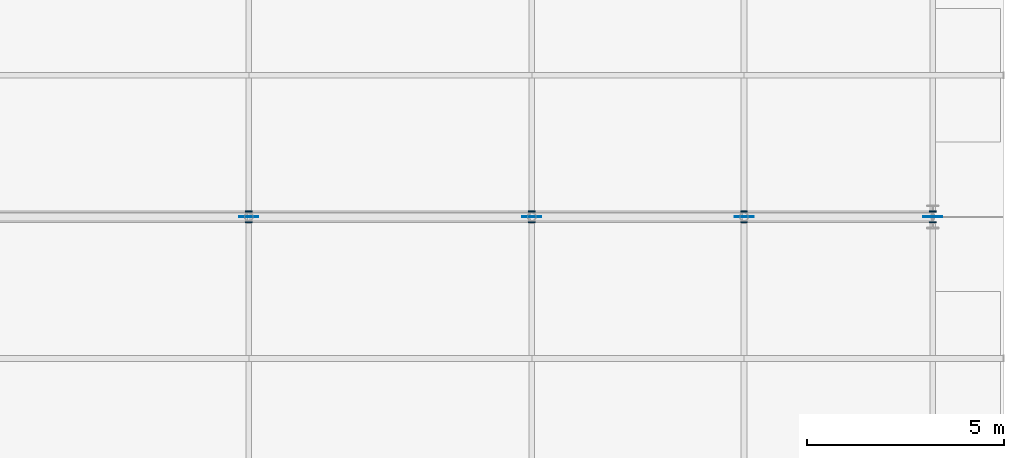
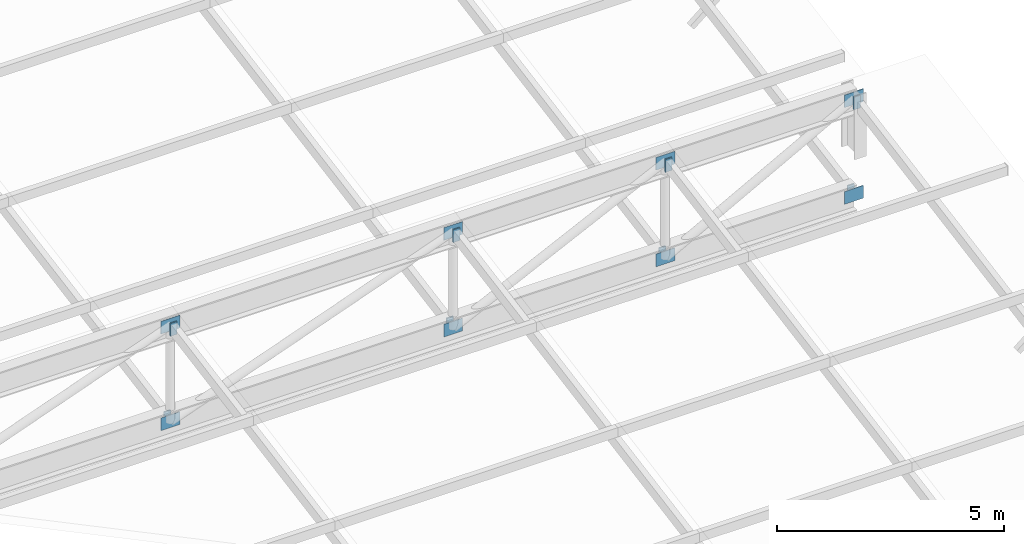
# One storey, part 60 of 63: 24 plates.
"""IFC4 building model written with IfcOpenShell, lengths in metres."""

from ifc_helpers import new_model, si_unit, direction, frame, origin, origin_2d, place, context, subcontext, project, spatial, rectangle, extrude, material, layer, layer_set, type_object, element, save


model = new_model("IFC4")

# Units and contexts
model_context = context("Model", 3, precision=1e-05, world=origin(), true_north=direction((0.0, 1.0)))
body_context = subcontext(model_context, "Body", "Model", "MODEL_VIEW")
ifc_project = project(units=[si_unit("LENGTHUNIT", "METRE"), si_unit("AREAUNIT", "SQUARE_METRE"), si_unit("VOLUMEUNIT", "CUBIC_METRE"), si_unit("PLANEANGLEUNIT", "RADIAN"), si_unit("MASSUNIT", "GRAM", prefix="KILO")], contexts=[model_context])

# Site, building, storey
site_placement = place(None, origin())
site = spatial("IfcSite", under=ifc_project, at=site_placement, CompositionType="ELEMENT")
building_placement = place(site_placement, origin())
building = spatial("IfcBuilding", under=site, at=building_placement, Name="Solvadek Multi-Sports Hall", CompositionType="ELEMENT")
storey_placement = place(building_placement, frame((0.0, 0.0, 19.199951171875)))
storey = spatial("IfcBuildingStorey", under=building, at=storey_placement, Name="RF", CompositionType="ELEMENT", Elevation=19.199951171875)

# Plates
ifc_material = material(Name="Steel E350 (350 MPa)", Category="steel")
ifc_layer_1 = layer(ifc_material, 0.01611328125, Name="Steel E350 (350 MPa)")
ifc_layer_set_1 = layer_set([ifc_layer_1], Name="Steel E350 (350 MPa)")
plate_type_1 = type_object("IfcPlateType", Name="STR-PLT-CAP16", PredefinedType="USERDEFINED", material=ifc_layer_set_1)
for number, where, z_axis, x_axis, name in (
    (1, (144.0, 56.25390625, 1.2333984375), (0.0, 0.0, 1.0), (1.0, 0.0, 0.0), "V2 Rafter End Cap Plate #77"),
    (2, (144.0, 56.27099609375, 1.2373046875), (0.0, 0.0, 1.0), (1.0, 0.0, 0.0), "V2 Rafter Shoe Cap Plate #78"),
    (3, (144.0, 56.5458984375, -1.3125), (0.0, 0.0, 1.0), (1.0, 0.0, 0.0), "V2 Rafter End Cap Plate #79"),
    (4, (144.0, 56.529052734375, -1.31689453125), (0.0, 0.0, 1.0), (1.0, 0.0, 0.0), "V2 Rafter Shoe Cap Plate #80"),
    (5, (151.199951171875, 56.25390625, 1.2333984375), (0.0, 0.0, 1.0), (1.0, 0.0, 0.0), "V2 Rafter End Cap Plate #85"),
    (6, (151.199951171875, 56.27099609375, 1.2373046875), (0.0, 0.0, 1.0), (1.0, 0.0, 0.0), "V2 Rafter Shoe Cap Plate #86"),
    (7, (151.199951171875, 56.5458984375, -1.3125), (0.0, 0.0, 1.0), (1.0, 0.0, 0.0), "V2 Rafter End Cap Plate #87"),
    (8, (151.199951171875, 56.529052734375, -1.31689453125), (0.0, 0.0, 1.0), (1.0, 0.0, 0.0), "V2 Rafter Shoe Cap Plate #88"),
    (9, (156.60009765625, 56.25390625, 1.2333984375), (0.0, 0.0, 1.0), (1.0, 0.0, 0.0), "V2 Rafter End Cap Plate #93"),
    (10, (156.60009765625, 56.27099609375, 1.2373046875), (0.0, 0.0, 1.0), (1.0, 0.0, 0.0), "V2 Rafter Shoe Cap Plate #94"),
    (11, (161.39990234375, 56.25390625, 1.2333984375), (0.0, 0.0, 1.0), (1.0, 0.0, 0.0), "V2 Rafter End Cap Plate #97"),
    (12, (161.39990234375, 56.27099609375, 1.2373046875), (0.0, 0.0, 1.0), (1.0, 0.0, 0.0), "V2 Rafter Shoe Cap Plate #98"),
    (13, (156.60009765625, 56.5458984375, -1.3125), (0.0, 0.0, 1.0), (1.0, 0.0, 0.0), "V2 Rafter End Cap Plate #103"),
    (14, (156.60009765625, 56.529052734375, -1.31689453125), (0.0, 0.0, 1.0), (1.0, 0.0, 0.0), "V2 Rafter Shoe Cap Plate #104"),
    (15, (161.39990234375, 56.5458984375, -1.3125), (0.0, 0.0, 1.0), (1.0, 0.0, 0.0), "V2 Rafter End Cap Plate #107"),
    (16, (161.39990234375, 56.529052734375, -1.31689453125), (0.0, 0.0, 1.0), (1.0, 0.0, 0.0), "V2 Rafter Shoe Cap Plate #108"),
):
    element("IfcPlate", number, at=place(storey_placement, frame(where, z_axis=z_axis, x_axis=x_axis)), inside=storey, type_object=plate_type_1, Name=name, ObjectType="BASE_PLATE", PredefinedType="USERDEFINED", context=body_context, shape_type="SweptSolid", body=[
        extrude(rectangle(XDim=0.169921875, YDim=0.01611328125, at=origin_2d()), origin(), (0.0, 0.0, 1.0), 0.340087890625),
    ])
ifc_layer_2 = layer(ifc_material, 0.02001953125, Name="Steel E350 (350 MPa)")
ifc_layer_set_2 = layer_set([ifc_layer_2], Name="Steel E350 (350 MPa)")
plate_type_2 = type_object("IfcPlateType", Name="STR-PLT-GUS480", PredefinedType="USERDEFINED", material=ifc_layer_set_2)
for number, where, z_axis, x_axis, name in (
    (17, (144.0, 56.39990234375, -1.33935546875), (0.0, 0.0, 1.0), (1.0, 0.0, 0.0), "V2 Clerestory Node Gusset #267"),
    (18, (144.0, 56.39990234375, 1.26025390625), (0.0, 0.0, 1.0), (1.0, 0.0, 0.0), "V2 Clerestory Node Gusset #268"),
    (19, (151.199951171875, 56.39990234375, -1.33935546875), (0.0, 0.0, 1.0), (1.0, 0.0, 0.0), "V2 Clerestory Node Gusset #269"),
    (20, (151.199951171875, 56.39990234375, 1.26025390625), (0.0, 0.0, 1.0), (1.0, 0.0, 0.0), "V2 Clerestory Node Gusset #270"),
    (21, (156.60009765625, 56.39990234375, -1.33935546875), (0.0, 0.0, 1.0), (1.0, 0.0, 0.0), "V2 Clerestory Node Gusset #271"),
    (22, (156.60009765625, 56.39990234375, 1.26025390625), (0.0, 0.0, 1.0), (1.0, 0.0, 0.0), "V2 Clerestory Node Gusset #272"),
    (23, (161.39990234375, 56.39990234375, -1.33935546875), (0.0, 0.0, 1.0), (1.0, 0.0, 0.0), "V2 Clerestory East Gusset #273"),
    (24, (161.39990234375, 56.39990234375, 1.26025390625), (0.0, 0.0, 1.0), (1.0, 0.0, 0.0), "V2 Clerestory East Gusset #274"),
):
    element("IfcPlate", number, at=place(storey_placement, frame(where, z_axis=z_axis, x_axis=x_axis)), inside=storey, type_object=plate_type_2, Name=name, ObjectType="GUSSET_PLATE", PredefinedType="USERDEFINED", context=body_context, shape_type="SweptSolid", body=[
        extrude(rectangle(XDim=0.47998046875, YDim=0.02001953125, at=origin_2d()), origin(), (0.0, 0.0, 1.0), 0.340087890625),
    ])

save(model, "model.ifc")
